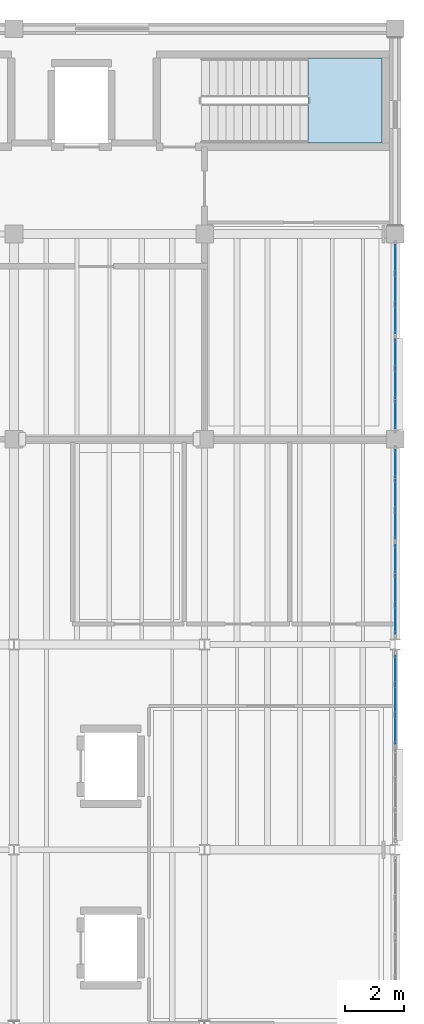
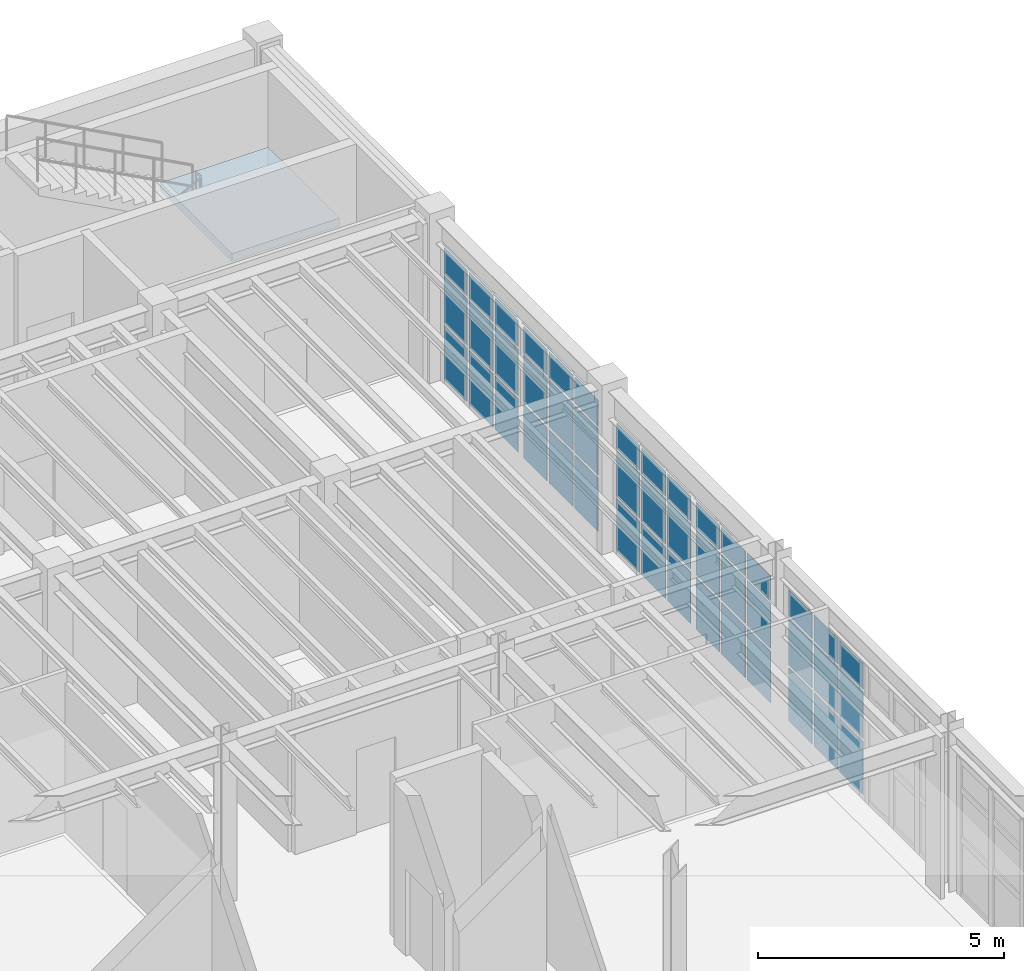
# One storey, part 54 of 77: 45 plates, 1 slab, 6 elements without a shape of their own.
"""IFC4 building model written with IfcOpenShell, lengths in metres."""

from ifc_helpers import new_model, si_unit, direction, frame, origin, origin_2d, place, context, subcontext, project, spatial, polyline, rectangle, outline, extrude, material, layer, layer_set, type_object, element, aggregate, save


model = new_model("IFC4")

# Units and contexts
model_context = context("Model", 3, precision=1e-05, world=origin(), true_north=direction((0.0, 1.0)))
body_context = subcontext(model_context, "Body", "Model", "MODEL_VIEW")
ifc_project = project(units=[si_unit("LENGTHUNIT", "METRE"), si_unit("AREAUNIT", "SQUARE_METRE"), si_unit("VOLUMEUNIT", "CUBIC_METRE"), si_unit("PLANEANGLEUNIT", "RADIAN"), si_unit("MASSUNIT", "GRAM", prefix="KILO"), si_unit("THERMODYNAMICTEMPERATUREUNIT", "KELVIN"), si_unit("POWERUNIT", "WATT")], contexts=[model_context])

# Site, building, storey
site_placement = place(None, origin())
site = spatial("IfcSite", under=ifc_project, at=site_placement, CompositionType="ELEMENT")
building_placement = place(site_placement, origin())
building = spatial("IfcBuilding", under=site, at=building_placement, Name="Zhenchuan Central Fire Station", CompositionType="ELEMENT")
storey_placement = place(building_placement, frame((0.0, 0.0, 10.050048828125)))
storey = spatial("IfcBuildingStorey", under=building, at=storey_placement, Name="L03", CompositionType="ELEMENT", Elevation=10.050048828125)

# Curtain wall, plates
ifc_material_1 = material(Name="Anodised aluminium and low-E glazing", Category="aluminium")
curtain_wall_type_1 = type_object("IfcCurtainWallType", Name="CW-MOD-12", PredefinedType="USERDEFINED", material=ifc_material_1)
curtain_wall_1_placement = place(storey_placement, origin())
curtain_wall_1 = element("IfcCurtainWall", 1, at=curtain_wall_1_placement, inside=storey, type_object=curtain_wall_type_1, Name="L03 Unitised Curtain Wall 109", ObjectType="UNITISED GLAZING", PredefinedType="USERDEFINED")
ifc_material_2 = material(Name="Laminated low-E double glazing", Category="glass")
ifc_layer_1 = layer(ifc_material_2, 0.011962890625, Name="Laminated low-E double glazing", Category="glass")
ifc_layer_set_1 = layer_set([ifc_layer_1], Name="Laminated low-E double glazing")
plate_type = type_object("IfcPlateType", Name="CW-PNL12", PredefinedType="CURTAIN_PANEL", material=ifc_layer_set_1)
plate_1_placement = place(storey_placement, frame((161.0, 32.583740234375, 0.07080078125), z_axis=(0.0, 0.0, 1.0), x_axis=(0.0, 1.0, 0.0)))
plate_1 = element("IfcPlate", 2, at=plate_1_placement, type_object=plate_type, Name="CW-12 panel 1.1", PredefinedType="CURTAIN_PANEL", context=body_context, shape_type="SweptSolid", body=[
    extrude(rectangle(XDim=0.94140625, YDim=0.011962890625, at=origin_2d()), origin(), (0.0, 0.0, 1.0), 1.319580078125),
])
plate_2_placement = place(storey_placement, frame((161.0, 32.583740234375, 1.465576171875), z_axis=(0.0, 0.0, 1.0), x_axis=(0.0, 1.0, 0.0)))
plate_2 = element("IfcPlate", 3, at=plate_2_placement, type_object=plate_type, Name="CW-12 panel 1.2", PredefinedType="CURTAIN_PANEL", context=body_context, shape_type="SweptSolid", body=[
    extrude(rectangle(XDim=0.94140625, YDim=0.011962890625, at=origin_2d()), origin(), (0.0, 0.0, 1.0), 1.14892578125),
])
plate_3_placement = place(storey_placement, frame((161.0, 32.583740234375, 2.689453125), z_axis=(0.0, 0.0, 1.0), x_axis=(0.0, 1.0, 0.0)))
plate_3 = element("IfcPlate", 4, at=plate_3_placement, type_object=plate_type, Name="CW-12 panel 1.3", PredefinedType="CURTAIN_PANEL", context=body_context, shape_type="SweptSolid", body=[
    extrude(rectangle(XDim=0.94140625, YDim=0.011962890625, at=origin_2d()), origin(), (0.0, 0.0, 1.0), 0.635498046875),
])
plate_4_placement = place(storey_placement, frame((161.0, 33.618896484375, 0.07080078125), z_axis=(0.0, 0.0, 1.0), x_axis=(0.0, 1.0, 0.0)))
plate_4 = element("IfcPlate", 5, at=plate_4_placement, type_object=plate_type, Name="CW-12 panel 2.1", PredefinedType="CURTAIN_PANEL", context=body_context, shape_type="SweptSolid", body=[
    extrude(rectangle(XDim=0.97900390625, YDim=0.011962890625, at=origin_2d()), origin(), (0.0, 0.0, 1.0), 1.319580078125),
])
plate_5_placement = place(storey_placement, frame((161.0, 33.618896484375, 1.465576171875), z_axis=(0.0, 0.0, 1.0), x_axis=(0.0, 1.0, 0.0)))
plate_5 = element("IfcPlate", 6, at=plate_5_placement, type_object=plate_type, Name="CW-12 panel 2.2", PredefinedType="CURTAIN_PANEL", context=body_context, shape_type="SweptSolid", body=[
    extrude(rectangle(XDim=0.97900390625, YDim=0.011962890625, at=origin_2d()), origin(), (0.0, 0.0, 1.0), 1.14892578125),
])
plate_6_placement = place(storey_placement, frame((161.0, 33.618896484375, 2.689453125), z_axis=(0.0, 0.0, 1.0), x_axis=(0.0, 1.0, 0.0)))
plate_6 = element("IfcPlate", 7, at=plate_6_placement, type_object=plate_type, Name="CW-12 panel 2.3", PredefinedType="CURTAIN_PANEL", context=body_context, shape_type="SweptSolid", body=[
    extrude(rectangle(XDim=0.97900390625, YDim=0.011962890625, at=origin_2d()), origin(), (0.0, 0.0, 1.0), 0.635498046875),
])
plate_7_placement = place(storey_placement, frame((161.0, 34.654296875, 0.07080078125), z_axis=(0.0, 0.0, 1.0), x_axis=(0.0, 1.0, 0.0)))
plate_7 = element("IfcPlate", 8, at=plate_7_placement, type_object=plate_type, Name="CW-12 panel 3.1", PredefinedType="CURTAIN_PANEL", context=body_context, shape_type="SweptSolid", body=[
    extrude(rectangle(XDim=0.94140625, YDim=0.011962890625, at=origin_2d()), origin(), (0.0, 0.0, 1.0), 1.319580078125),
])
plate_8_placement = place(storey_placement, frame((161.0, 34.654296875, 1.465576171875), z_axis=(0.0, 0.0, 1.0), x_axis=(0.0, 1.0, 0.0)))
plate_8 = element("IfcPlate", 9, at=plate_8_placement, type_object=plate_type, Name="CW-12 panel 3.2", PredefinedType="CURTAIN_PANEL", context=body_context, shape_type="SweptSolid", body=[
    extrude(rectangle(XDim=0.94140625, YDim=0.011962890625, at=origin_2d()), origin(), (0.0, 0.0, 1.0), 1.14892578125),
])
plate_9_placement = place(storey_placement, frame((161.0, 34.654296875, 2.689453125), z_axis=(0.0, 0.0, 1.0), x_axis=(0.0, 1.0, 0.0)))
plate_9 = element("IfcPlate", 10, at=plate_9_placement, type_object=plate_type, Name="CW-12 panel 3.3", PredefinedType="CURTAIN_PANEL", context=body_context, shape_type="SweptSolid", body=[
    extrude(rectangle(XDim=0.94140625, YDim=0.011962890625, at=origin_2d()), origin(), (0.0, 0.0, 1.0), 0.635498046875),
])
aggregate(curtain_wall_1, [plate_1, plate_2, plate_3, plate_4, plate_5, plate_6, plate_7, plate_8, plate_9])

curtain_wall_type_2 = type_object("IfcCurtainWallType", Name="CW-MOD-13", PredefinedType="USERDEFINED", material=ifc_material_1)
curtain_wall_2_placement = place(storey_placement, origin())
curtain_wall_2 = element("IfcCurtainWall", 11, at=curtain_wall_2_placement, inside=storey, type_object=curtain_wall_type_2, Name="L03 Unitised Curtain Wall 110", ObjectType="UNITISED GLAZING", PredefinedType="USERDEFINED")
plate_10_placement = place(storey_placement, frame((161.0, 36.345703125, 0.071044921875), z_axis=(0.0, 0.0, 1.0), x_axis=(0.0, 1.0, 0.0)))
plate_10 = element("IfcPlate", 12, at=plate_10_placement, type_object=plate_type, Name="CW-13 panel 1.1", PredefinedType="CURTAIN_PANEL", context=body_context, shape_type="SweptSolid", body=[
    extrude(rectangle(XDim=0.94140625, YDim=0.011962890625, at=origin_2d()), origin(), (0.0, 0.0, 1.0), 1.27490234375),
])
plate_11_placement = place(storey_placement, frame((161.0, 36.345703125, 1.4208984375), z_axis=(0.0, 0.0, 1.0), x_axis=(0.0, 1.0, 0.0)))
plate_11 = element("IfcPlate", 13, at=plate_11_placement, type_object=plate_type, Name="CW-13 panel 1.2", PredefinedType="CURTAIN_PANEL", context=body_context, shape_type="SweptSolid", body=[
    extrude(rectangle(XDim=0.94140625, YDim=0.011962890625, at=origin_2d()), origin(), (0.0, 0.0, 1.0), 1.11083984375),
])
plate_12_placement = place(storey_placement, frame((161.0, 36.345703125, 2.606689453125), z_axis=(0.0, 0.0, 1.0), x_axis=(0.0, 1.0, 0.0)))
plate_12 = element("IfcPlate", 14, at=plate_12_placement, type_object=plate_type, Name="CW-13 panel 1.3", PredefinedType="CURTAIN_PANEL", context=body_context, shape_type="SweptSolid", body=[
    extrude(rectangle(XDim=0.94140625, YDim=0.011962890625, at=origin_2d()), origin(), (0.0, 0.0, 1.0), 0.6123046875),
])
plate_13_placement = place(storey_placement, frame((161.0, 37.381103515625, 0.071044921875), z_axis=(0.0, 0.0, 1.0), x_axis=(0.0, 1.0, 0.0)))
plate_13 = element("IfcPlate", 15, at=plate_13_placement, type_object=plate_type, Name="CW-13 panel 2.1", PredefinedType="CURTAIN_PANEL", context=body_context, shape_type="SweptSolid", body=[
    extrude(rectangle(XDim=0.97900390625, YDim=0.011962890625, at=origin_2d()), origin(), (0.0, 0.0, 1.0), 1.27490234375),
])
plate_14_placement = place(storey_placement, frame((161.0, 37.381103515625, 1.4208984375), z_axis=(0.0, 0.0, 1.0), x_axis=(0.0, 1.0, 0.0)))
plate_14 = element("IfcPlate", 16, at=plate_14_placement, type_object=plate_type, Name="CW-13 panel 2.2", PredefinedType="CURTAIN_PANEL", context=body_context, shape_type="SweptSolid", body=[
    extrude(rectangle(XDim=0.97900390625, YDim=0.011962890625, at=origin_2d()), origin(), (0.0, 0.0, 1.0), 1.11083984375),
])
plate_15_placement = place(storey_placement, frame((161.0, 37.381103515625, 2.606689453125), z_axis=(0.0, 0.0, 1.0), x_axis=(0.0, 1.0, 0.0)))
plate_15 = element("IfcPlate", 17, at=plate_15_placement, type_object=plate_type, Name="CW-13 panel 2.3", PredefinedType="CURTAIN_PANEL", context=body_context, shape_type="SweptSolid", body=[
    extrude(rectangle(XDim=0.97900390625, YDim=0.011962890625, at=origin_2d()), origin(), (0.0, 0.0, 1.0), 0.6123046875),
])
plate_16_placement = place(storey_placement, frame((161.0, 38.416259765625, 0.071044921875), z_axis=(0.0, 0.0, 1.0), x_axis=(0.0, 1.0, 0.0)))
plate_16 = element("IfcPlate", 18, at=plate_16_placement, type_object=plate_type, Name="CW-13 panel 3.1", PredefinedType="CURTAIN_PANEL", context=body_context, shape_type="SweptSolid", body=[
    extrude(rectangle(XDim=0.94140625, YDim=0.011962890625, at=origin_2d()), origin(), (0.0, 0.0, 1.0), 1.27490234375),
])
plate_17_placement = place(storey_placement, frame((161.0, 38.416259765625, 1.4208984375), z_axis=(0.0, 0.0, 1.0), x_axis=(0.0, 1.0, 0.0)))
plate_17 = element("IfcPlate", 19, at=plate_17_placement, type_object=plate_type, Name="CW-13 panel 3.2", PredefinedType="CURTAIN_PANEL", context=body_context, shape_type="SweptSolid", body=[
    extrude(rectangle(XDim=0.94140625, YDim=0.011962890625, at=origin_2d()), origin(), (0.0, 0.0, 1.0), 1.11083984375),
])
plate_18_placement = place(storey_placement, frame((161.0, 38.416259765625, 2.606689453125), z_axis=(0.0, 0.0, 1.0), x_axis=(0.0, 1.0, 0.0)))
plate_18 = element("IfcPlate", 20, at=plate_18_placement, type_object=plate_type, Name="CW-13 panel 3.3", PredefinedType="CURTAIN_PANEL", context=body_context, shape_type="SweptSolid", body=[
    extrude(rectangle(XDim=0.94140625, YDim=0.011962890625, at=origin_2d()), origin(), (0.0, 0.0, 1.0), 0.6123046875),
])
aggregate(curtain_wall_2, [plate_10, plate_11, plate_12, plate_13, plate_14, plate_15, plate_16, plate_17, plate_18])

curtain_wall_type_3 = type_object("IfcCurtainWallType", Name="CW-MOD-14", PredefinedType="USERDEFINED", material=ifc_material_1)
curtain_wall_3_placement = place(storey_placement, origin())
curtain_wall_3 = element("IfcCurtainWall", 21, at=curtain_wall_3_placement, inside=storey, type_object=curtain_wall_type_3, Name="L03 Unitised Curtain Wall 111", ObjectType="UNITISED GLAZING", PredefinedType="USERDEFINED")
plate_19_placement = place(storey_placement, frame((161.0, 39.583740234375, 0.071044921875), z_axis=(0.0, 0.0, 1.0), x_axis=(0.0, 1.0, 0.0)))
plate_19 = element("IfcPlate", 22, at=plate_19_placement, type_object=plate_type, Name="CW-14 panel 1.1", PredefinedType="CURTAIN_PANEL", context=body_context, shape_type="SweptSolid", body=[
    extrude(rectangle(XDim=0.94140625, YDim=0.011962890625, at=origin_2d()), origin(), (0.0, 0.0, 1.0), 1.27490234375),
])
plate_20_placement = place(storey_placement, frame((161.0, 39.583740234375, 1.4208984375), z_axis=(0.0, 0.0, 1.0), x_axis=(0.0, 1.0, 0.0)))
plate_20 = element("IfcPlate", 23, at=plate_20_placement, type_object=plate_type, Name="CW-14 panel 1.2", PredefinedType="CURTAIN_PANEL", context=body_context, shape_type="SweptSolid", body=[
    extrude(rectangle(XDim=0.94140625, YDim=0.011962890625, at=origin_2d()), origin(), (0.0, 0.0, 1.0), 1.11083984375),
])
plate_21_placement = place(storey_placement, frame((161.0, 39.583740234375, 2.606689453125), z_axis=(0.0, 0.0, 1.0), x_axis=(0.0, 1.0, 0.0)))
plate_21 = element("IfcPlate", 24, at=plate_21_placement, type_object=plate_type, Name="CW-14 panel 1.3", PredefinedType="CURTAIN_PANEL", context=body_context, shape_type="SweptSolid", body=[
    extrude(rectangle(XDim=0.94140625, YDim=0.011962890625, at=origin_2d()), origin(), (0.0, 0.0, 1.0), 0.6123046875),
])
plate_22_placement = place(storey_placement, frame((161.0, 40.618896484375, 0.071044921875), z_axis=(0.0, 0.0, 1.0), x_axis=(0.0, 1.0, 0.0)))
plate_22 = element("IfcPlate", 25, at=plate_22_placement, type_object=plate_type, Name="CW-14 panel 2.1", PredefinedType="CURTAIN_PANEL", context=body_context, shape_type="SweptSolid", body=[
    extrude(rectangle(XDim=0.97900390625, YDim=0.011962890625, at=origin_2d()), origin(), (0.0, 0.0, 1.0), 1.27490234375),
])
plate_23_placement = place(storey_placement, frame((161.0, 40.618896484375, 1.4208984375), z_axis=(0.0, 0.0, 1.0), x_axis=(0.0, 1.0, 0.0)))
plate_23 = element("IfcPlate", 26, at=plate_23_placement, type_object=plate_type, Name="CW-14 panel 2.2", PredefinedType="CURTAIN_PANEL", context=body_context, shape_type="SweptSolid", body=[
    extrude(rectangle(XDim=0.97900390625, YDim=0.011962890625, at=origin_2d()), origin(), (0.0, 0.0, 1.0), 1.11083984375),
])
plate_24_placement = place(storey_placement, frame((161.0, 40.618896484375, 2.606689453125), z_axis=(0.0, 0.0, 1.0), x_axis=(0.0, 1.0, 0.0)))
plate_24 = element("IfcPlate", 27, at=plate_24_placement, type_object=plate_type, Name="CW-14 panel 2.3", PredefinedType="CURTAIN_PANEL", context=body_context, shape_type="SweptSolid", body=[
    extrude(rectangle(XDim=0.97900390625, YDim=0.011962890625, at=origin_2d()), origin(), (0.0, 0.0, 1.0), 0.6123046875),
])
plate_25_placement = place(storey_placement, frame((161.0, 41.654296875, 0.071044921875), z_axis=(0.0, 0.0, 1.0), x_axis=(0.0, 1.0, 0.0)))
plate_25 = element("IfcPlate", 28, at=plate_25_placement, type_object=plate_type, Name="CW-14 panel 3.1", PredefinedType="CURTAIN_PANEL", context=body_context, shape_type="SweptSolid", body=[
    extrude(rectangle(XDim=0.94140625, YDim=0.011962890625, at=origin_2d()), origin(), (0.0, 0.0, 1.0), 1.27490234375),
])
plate_26_placement = place(storey_placement, frame((161.0, 41.654296875, 1.4208984375), z_axis=(0.0, 0.0, 1.0), x_axis=(0.0, 1.0, 0.0)))
plate_26 = element("IfcPlate", 29, at=plate_26_placement, type_object=plate_type, Name="CW-14 panel 3.2", PredefinedType="CURTAIN_PANEL", context=body_context, shape_type="SweptSolid", body=[
    extrude(rectangle(XDim=0.94140625, YDim=0.011962890625, at=origin_2d()), origin(), (0.0, 0.0, 1.0), 1.11083984375),
])
plate_27_placement = place(storey_placement, frame((161.0, 41.654296875, 2.606689453125), z_axis=(0.0, 0.0, 1.0), x_axis=(0.0, 1.0, 0.0)))
plate_27 = element("IfcPlate", 30, at=plate_27_placement, type_object=plate_type, Name="CW-14 panel 3.3", PredefinedType="CURTAIN_PANEL", context=body_context, shape_type="SweptSolid", body=[
    extrude(rectangle(XDim=0.94140625, YDim=0.011962890625, at=origin_2d()), origin(), (0.0, 0.0, 1.0), 0.6123046875),
])
aggregate(curtain_wall_3, [plate_19, plate_20, plate_21, plate_22, plate_23, plate_24, plate_25, plate_26, plate_27])

curtain_wall_4_placement = place(storey_placement, origin())
curtain_wall_4 = element("IfcCurtainWall", 31, at=curtain_wall_4_placement, inside=storey, type_object=curtain_wall_type_2, Name="L03 Unitised Curtain Wall 144", ObjectType="UNITISED GLAZING", PredefinedType="USERDEFINED")
plate_28_placement = place(storey_placement, frame((161.0, 43.345703125, 0.07080078125), z_axis=(0.0, 0.0, 1.0), x_axis=(0.0, 1.0, 0.0)))
plate_28 = element("IfcPlate", 32, at=plate_28_placement, type_object=plate_type, Name="CW-13 panel 1.1", PredefinedType="CURTAIN_PANEL", context=body_context, shape_type="SweptSolid", body=[
    extrude(rectangle(XDim=0.94140625, YDim=0.011962890625, at=origin_2d()), origin(), (0.0, 0.0, 1.0), 1.319580078125),
])
plate_29_placement = place(storey_placement, frame((161.0, 43.345703125, 1.465576171875), z_axis=(0.0, 0.0, 1.0), x_axis=(0.0, 1.0, 0.0)))
plate_29 = element("IfcPlate", 33, at=plate_29_placement, type_object=plate_type, Name="CW-13 panel 1.2", PredefinedType="CURTAIN_PANEL", context=body_context, shape_type="SweptSolid", body=[
    extrude(rectangle(XDim=0.94140625, YDim=0.011962890625, at=origin_2d()), origin(), (0.0, 0.0, 1.0), 1.14892578125),
])
plate_30_placement = place(storey_placement, frame((161.0, 43.345703125, 2.689453125), z_axis=(0.0, 0.0, 1.0), x_axis=(0.0, 1.0, 0.0)))
plate_30 = element("IfcPlate", 34, at=plate_30_placement, type_object=plate_type, Name="CW-13 panel 1.3", PredefinedType="CURTAIN_PANEL", context=body_context, shape_type="SweptSolid", body=[
    extrude(rectangle(XDim=0.94140625, YDim=0.011962890625, at=origin_2d()), origin(), (0.0, 0.0, 1.0), 0.635498046875),
])
plate_31_placement = place(storey_placement, frame((161.0, 44.381103515625, 0.07080078125), z_axis=(0.0, 0.0, 1.0), x_axis=(0.0, 1.0, 0.0)))
plate_31 = element("IfcPlate", 35, at=plate_31_placement, type_object=plate_type, Name="CW-13 panel 2.1", PredefinedType="CURTAIN_PANEL", context=body_context, shape_type="SweptSolid", body=[
    extrude(rectangle(XDim=0.97900390625, YDim=0.011962890625, at=origin_2d()), origin(), (0.0, 0.0, 1.0), 1.319580078125),
])
plate_32_placement = place(storey_placement, frame((161.0, 44.381103515625, 1.465576171875), z_axis=(0.0, 0.0, 1.0), x_axis=(0.0, 1.0, 0.0)))
plate_32 = element("IfcPlate", 36, at=plate_32_placement, type_object=plate_type, Name="CW-13 panel 2.2", PredefinedType="CURTAIN_PANEL", context=body_context, shape_type="SweptSolid", body=[
    extrude(rectangle(XDim=0.97900390625, YDim=0.011962890625, at=origin_2d()), origin(), (0.0, 0.0, 1.0), 1.14892578125),
])
plate_33_placement = place(storey_placement, frame((161.0, 44.381103515625, 2.689453125), z_axis=(0.0, 0.0, 1.0), x_axis=(0.0, 1.0, 0.0)))
plate_33 = element("IfcPlate", 37, at=plate_33_placement, type_object=plate_type, Name="CW-13 panel 2.3", PredefinedType="CURTAIN_PANEL", context=body_context, shape_type="SweptSolid", body=[
    extrude(rectangle(XDim=0.97900390625, YDim=0.011962890625, at=origin_2d()), origin(), (0.0, 0.0, 1.0), 0.635498046875),
])
plate_34_placement = place(storey_placement, frame((161.0, 45.416259765625, 0.07080078125), z_axis=(0.0, 0.0, 1.0), x_axis=(0.0, 1.0, 0.0)))
plate_34 = element("IfcPlate", 38, at=plate_34_placement, type_object=plate_type, Name="CW-13 panel 3.1", PredefinedType="CURTAIN_PANEL", context=body_context, shape_type="SweptSolid", body=[
    extrude(rectangle(XDim=0.94140625, YDim=0.011962890625, at=origin_2d()), origin(), (0.0, 0.0, 1.0), 1.319580078125),
])
plate_35_placement = place(storey_placement, frame((161.0, 45.416259765625, 1.465576171875), z_axis=(0.0, 0.0, 1.0), x_axis=(0.0, 1.0, 0.0)))
plate_35 = element("IfcPlate", 39, at=plate_35_placement, type_object=plate_type, Name="CW-13 panel 3.2", PredefinedType="CURTAIN_PANEL", context=body_context, shape_type="SweptSolid", body=[
    extrude(rectangle(XDim=0.94140625, YDim=0.011962890625, at=origin_2d()), origin(), (0.0, 0.0, 1.0), 1.14892578125),
])
plate_36_placement = place(storey_placement, frame((161.0, 45.416259765625, 2.689453125), z_axis=(0.0, 0.0, 1.0), x_axis=(0.0, 1.0, 0.0)))
plate_36 = element("IfcPlate", 40, at=plate_36_placement, type_object=plate_type, Name="CW-13 panel 3.3", PredefinedType="CURTAIN_PANEL", context=body_context, shape_type="SweptSolid", body=[
    extrude(rectangle(XDim=0.94140625, YDim=0.011962890625, at=origin_2d()), origin(), (0.0, 0.0, 1.0), 0.635498046875),
])
aggregate(curtain_wall_4, [plate_28, plate_29, plate_30, plate_31, plate_32, plate_33, plate_34, plate_35, plate_36])

curtain_wall_5_placement = place(storey_placement, origin())
curtain_wall_5 = element("IfcCurtainWall", 41, at=curtain_wall_5_placement, inside=storey, type_object=curtain_wall_type_3, Name="L03 Unitised Curtain Wall 145", ObjectType="UNITISED GLAZING", PredefinedType="USERDEFINED")
plate_37_placement = place(storey_placement, frame((161.0, 46.583740234375, 0.07080078125), z_axis=(0.0, 0.0, 1.0), x_axis=(0.0, 1.0, 0.0)))
plate_37 = element("IfcPlate", 42, at=plate_37_placement, type_object=plate_type, Name="CW-14 panel 1.1", PredefinedType="CURTAIN_PANEL", context=body_context, shape_type="SweptSolid", body=[
    extrude(rectangle(XDim=0.94140625, YDim=0.011962890625, at=origin_2d()), origin(), (0.0, 0.0, 1.0), 1.319580078125),
])
plate_38_placement = place(storey_placement, frame((161.0, 46.583740234375, 1.465576171875), z_axis=(0.0, 0.0, 1.0), x_axis=(0.0, 1.0, 0.0)))
plate_38 = element("IfcPlate", 43, at=plate_38_placement, type_object=plate_type, Name="CW-14 panel 1.2", PredefinedType="CURTAIN_PANEL", context=body_context, shape_type="SweptSolid", body=[
    extrude(rectangle(XDim=0.94140625, YDim=0.011962890625, at=origin_2d()), origin(), (0.0, 0.0, 1.0), 1.14892578125),
])
plate_39_placement = place(storey_placement, frame((161.0, 46.583740234375, 2.689453125), z_axis=(0.0, 0.0, 1.0), x_axis=(0.0, 1.0, 0.0)))
plate_39 = element("IfcPlate", 44, at=plate_39_placement, type_object=plate_type, Name="CW-14 panel 1.3", PredefinedType="CURTAIN_PANEL", context=body_context, shape_type="SweptSolid", body=[
    extrude(rectangle(XDim=0.94140625, YDim=0.011962890625, at=origin_2d()), origin(), (0.0, 0.0, 1.0), 0.635498046875),
])
plate_40_placement = place(storey_placement, frame((161.0, 47.618896484375, 0.07080078125), z_axis=(0.0, 0.0, 1.0), x_axis=(0.0, 1.0, 0.0)))
plate_40 = element("IfcPlate", 45, at=plate_40_placement, type_object=plate_type, Name="CW-14 panel 2.1", PredefinedType="CURTAIN_PANEL", context=body_context, shape_type="SweptSolid", body=[
    extrude(rectangle(XDim=0.97900390625, YDim=0.011962890625, at=origin_2d()), origin(), (0.0, 0.0, 1.0), 1.319580078125),
])
plate_41_placement = place(storey_placement, frame((161.0, 47.618896484375, 1.465576171875), z_axis=(0.0, 0.0, 1.0), x_axis=(0.0, 1.0, 0.0)))
plate_41 = element("IfcPlate", 46, at=plate_41_placement, type_object=plate_type, Name="CW-14 panel 2.2", PredefinedType="CURTAIN_PANEL", context=body_context, shape_type="SweptSolid", body=[
    extrude(rectangle(XDim=0.97900390625, YDim=0.011962890625, at=origin_2d()), origin(), (0.0, 0.0, 1.0), 1.14892578125),
])
plate_42_placement = place(storey_placement, frame((161.0, 47.618896484375, 2.689453125), z_axis=(0.0, 0.0, 1.0), x_axis=(0.0, 1.0, 0.0)))
plate_42 = element("IfcPlate", 47, at=plate_42_placement, type_object=plate_type, Name="CW-14 panel 2.3", PredefinedType="CURTAIN_PANEL", context=body_context, shape_type="SweptSolid", body=[
    extrude(rectangle(XDim=0.97900390625, YDim=0.011962890625, at=origin_2d()), origin(), (0.0, 0.0, 1.0), 0.635498046875),
])
plate_43_placement = place(storey_placement, frame((161.0, 48.654296875, 0.07080078125), z_axis=(0.0, 0.0, 1.0), x_axis=(0.0, 1.0, 0.0)))
plate_43 = element("IfcPlate", 48, at=plate_43_placement, type_object=plate_type, Name="CW-14 panel 3.1", PredefinedType="CURTAIN_PANEL", context=body_context, shape_type="SweptSolid", body=[
    extrude(rectangle(XDim=0.94140625, YDim=0.011962890625, at=origin_2d()), origin(), (0.0, 0.0, 1.0), 1.319580078125),
])
plate_44_placement = place(storey_placement, frame((161.0, 48.654296875, 1.465576171875), z_axis=(0.0, 0.0, 1.0), x_axis=(0.0, 1.0, 0.0)))
plate_44 = element("IfcPlate", 49, at=plate_44_placement, type_object=plate_type, Name="CW-14 panel 3.2", PredefinedType="CURTAIN_PANEL", context=body_context, shape_type="SweptSolid", body=[
    extrude(rectangle(XDim=0.94140625, YDim=0.011962890625, at=origin_2d()), origin(), (0.0, 0.0, 1.0), 1.14892578125),
])
plate_45_placement = place(storey_placement, frame((161.0, 48.654296875, 2.689453125), z_axis=(0.0, 0.0, 1.0), x_axis=(0.0, 1.0, 0.0)))
plate_45 = element("IfcPlate", 50, at=plate_45_placement, type_object=plate_type, Name="CW-14 panel 3.3", PredefinedType="CURTAIN_PANEL", context=body_context, shape_type="SweptSolid", body=[
    extrude(rectangle(XDim=0.94140625, YDim=0.011962890625, at=origin_2d()), origin(), (0.0, 0.0, 1.0), 0.635498046875),
])
aggregate(curtain_wall_5, [plate_37, plate_38, plate_39, plate_40, plate_41, plate_42, plate_43, plate_44, plate_45])

# Stair, slab
ifc_material_3 = material(Name="Concrete C35/45", Category="concrete")
stair_type = type_object("IfcStairType", Name="ST-CORE-TYP", PredefinedType="HALF_TURN_STAIR", material=ifc_material_3)
stair_placement = place(storey_placement, origin())
stair = element("IfcStair", 51, at=stair_placement, inside=storey, type_object=stair_type, Name="L03 Drill Tower East Exit Stair", PredefinedType="HALF_TURN_STAIR")
ifc_layer_2 = layer(ifc_material_3, 0.159912109375, Name="Concrete C35/45", Category="concrete")
ifc_layer_set_2 = layer_set([ifc_layer_2], Name="Concrete C35/45")
slab_type = type_object("IfcSlabType", Name="SL-LND160", PredefinedType="LANDING", material=ifc_layer_set_2)
slab_placement = place(storey_placement, frame((0.0, 0.0, 1.89990234375)))
slab = element("IfcSlab", 52, at=slab_placement, type_object=slab_type, Name="ST-13 landing 1", PredefinedType="LANDING", context=body_context, shape_type="SweptSolid", body=[
    extrude(outline(polyline([(158.030029296875, 52.60009765625), (160.550048828125, 52.60009765625), (160.550048828125, 55.5), (158.030029296875, 55.5), (158.030029296875, 52.60009765625)])), origin(), (0.0, 0.0, 1.0), 0.199951171875),
])
aggregate(stair, [slab])

save(model, "model.ifc")
